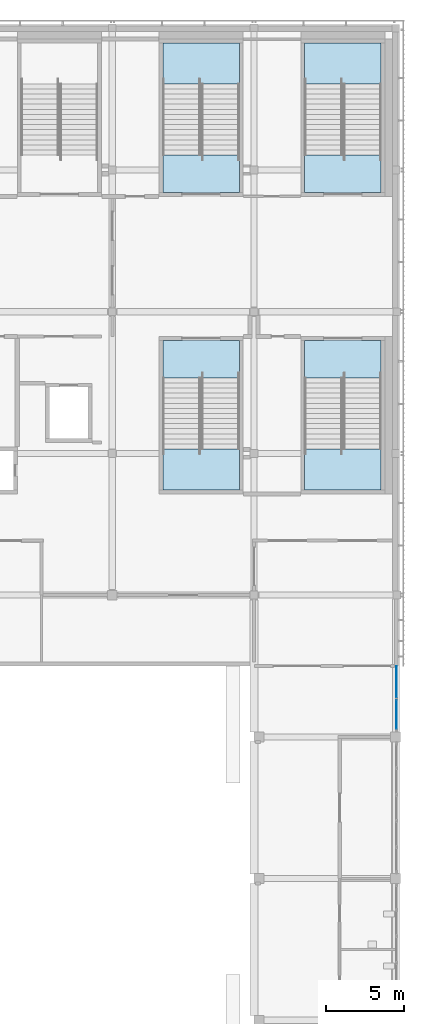
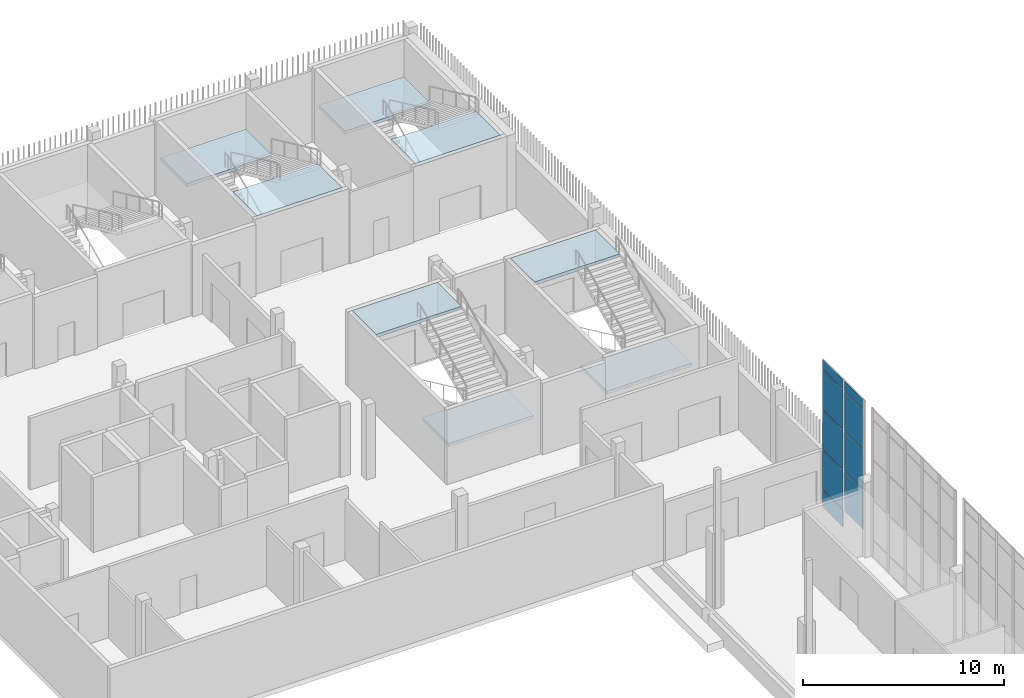
# One storey, part 39 of 91: 9 plates, 8 slabs, 5 elements without a shape of their own.
"""IFC4 building model written with IfcOpenShell, lengths in metres."""

from ifc_helpers import new_model, si_unit, direction, frame, origin, origin_2d, place, context, subcontext, project, spatial, polyline, rectangle, outline, extrude, material, layer, layer_set, type_object, element, aggregate, save


model = new_model("IFC4")

# Units and contexts
model_context = context("Model", 3, precision=1e-05, world=origin(), true_north=direction((0.0, 1.0)))
body_context = subcontext(model_context, "Body", "Model", "MODEL_VIEW")
ifc_project = project(units=[si_unit("LENGTHUNIT", "METRE"), si_unit("AREAUNIT", "SQUARE_METRE"), si_unit("VOLUMEUNIT", "CUBIC_METRE"), si_unit("PLANEANGLEUNIT", "RADIAN"), si_unit("MASSUNIT", "GRAM", prefix="KILO")], contexts=[model_context])

# Site, building, storey
site_placement = place(None, origin())
site = spatial("IfcSite", under=ifc_project, at=site_placement, CompositionType="ELEMENT")
building_placement = place(site_placement, origin())
building = spatial("IfcBuilding", under=site, at=building_placement, Name="Shirokan Park Arena", CompositionType="ELEMENT")
storey_placement = place(building_placement, frame((0.0, 0.0, 24.570068359375)))
storey = spatial("IfcBuildingStorey", under=building, at=storey_placement, Name="L05", CompositionType="ELEMENT", Elevation=24.570068359375)

# Curtain wall, plates
ifc_material_1 = material(Name="Steel and glass curtain wall", Category="steel")
ifc_layer_1 = layer(ifc_material_1, 0.199951171875)
ifc_layer_set_1 = layer_set([ifc_layer_1], Name="Steel and glass curtain wall 200 mm")
curtain_wall_type = type_object("IfcCurtainWallType", Name="Curtain wall hall bay 200", PredefinedType="NOTDEFINED", material=ifc_layer_set_1)
curtain_wall_placement = place(storey_placement, origin())
curtain_wall = element("IfcCurtainWall", 1, at=curtain_wall_placement, inside=storey, type_object=curtain_wall_type, Name="Curtain wall east bay 8 L05", PredefinedType="NOTDEFINED")
ifc_material_2 = material(Name="Toughened glass", Category="glass")
ifc_layer_2 = layer(ifc_material_2, 0.012939453125, Name="Toughened glass")
ifc_material_3 = material(Name="Interlayer film")
ifc_layer_3 = layer(ifc_material_3, 0.001953125, Name="Interlayer film")
ifc_layer_4 = layer(ifc_material_2, 0.012939453125, Name="Toughened glass")
ifc_layer_set_2 = layer_set([ifc_layer_2, ifc_layer_3, ifc_layer_4], Name="Toughened glass + Interlayer film")
plate_type_1 = type_object("IfcPlateType", Name="Laminated glass panel 28", PredefinedType="CURTAIN_PANEL", material=ifc_layer_set_2)
plate_1_placement = place(storey_placement, frame((145.64990234375, 65.13134765625, 1.1201171875), z_axis=(0.0, 0.0, 1.0), x_axis=(0.0, 1.0, 0.0)))
plate_1 = element("IfcPlate", 2, at=plate_1_placement, type_object=plate_type_1, Name="CW5 panel 1.2", PredefinedType="CURTAIN_PANEL", context=body_context, shape_type="SweptSolid", body=[
    extrude(rectangle(XDim=1.8125, YDim=0.028076171875, at=origin_2d()), origin(), (0.0, 0.0, 1.0), 2.393310546875),
])
plate_2_placement = place(storey_placement, frame((145.64990234375, 65.13134765625, 3.55322265625), z_axis=(0.0, 0.0, 1.0), x_axis=(0.0, 1.0, 0.0)))
plate_2 = element("IfcPlate", 3, at=plate_2_placement, type_object=plate_type_1, Name="CW5 panel 1.3", PredefinedType="CURTAIN_PANEL", context=body_context, shape_type="SweptSolid", body=[
    extrude(rectangle(XDim=1.8125, YDim=0.028076171875, at=origin_2d()), origin(), (0.0, 0.0, 1.0), 2.393310546875),
])
plate_3_placement = place(storey_placement, frame((145.64990234375, 65.13134765625, 5.98681640625), z_axis=(0.0, 0.0, 1.0), x_axis=(0.0, 1.0, 0.0)))
plate_3 = element("IfcPlate", 4, at=plate_3_placement, type_object=plate_type_1, Name="CW5 panel 1.4", PredefinedType="CURTAIN_PANEL", context=body_context, shape_type="SweptSolid", body=[
    extrude(rectangle(XDim=1.8125, YDim=0.028076171875, at=origin_2d()), origin(), (0.0, 0.0, 1.0), 2.393310546875),
])
plate_4_placement = place(storey_placement, frame((145.64990234375, 65.13134765625, 8.419921875), z_axis=(0.0, 0.0, 1.0), x_axis=(0.0, 1.0, 0.0)))
plate_4 = element("IfcPlate", 5, at=plate_4_placement, type_object=plate_type_1, Name="CW5 panel 1.5", PredefinedType="CURTAIN_PANEL", context=body_context, shape_type="SweptSolid", body=[
    extrude(rectangle(XDim=1.8125, YDim=0.028076171875, at=origin_2d()), origin(), (0.0, 0.0, 1.0), 0.590087890625),
])
plate_5_placement = place(storey_placement, frame((145.64990234375, 67.24365234375, 1.1201171875), z_axis=(0.0, 0.0, 1.0), x_axis=(0.0, 1.0, 0.0)))
plate_5 = element("IfcPlate", 6, at=plate_5_placement, type_object=plate_type_1, Name="CW5 panel 2.2", PredefinedType="CURTAIN_PANEL", context=body_context, shape_type="SweptSolid", body=[
    extrude(rectangle(XDim=2.012451171875, YDim=0.028076171875, at=origin_2d()), origin(), (0.0, 0.0, 1.0), 2.393310546875),
])
plate_6_placement = place(storey_placement, frame((145.64990234375, 67.24365234375, 3.55322265625), z_axis=(0.0, 0.0, 1.0), x_axis=(0.0, 1.0, 0.0)))
plate_6 = element("IfcPlate", 7, at=plate_6_placement, type_object=plate_type_1, Name="CW5 panel 2.3", PredefinedType="CURTAIN_PANEL", context=body_context, shape_type="SweptSolid", body=[
    extrude(rectangle(XDim=2.012451171875, YDim=0.028076171875, at=origin_2d()), origin(), (0.0, 0.0, 1.0), 2.393310546875),
])
plate_7_placement = place(storey_placement, frame((145.64990234375, 67.24365234375, 5.98681640625), z_axis=(0.0, 0.0, 1.0), x_axis=(0.0, 1.0, 0.0)))
plate_7 = element("IfcPlate", 8, at=plate_7_placement, type_object=plate_type_1, Name="CW5 panel 2.4", PredefinedType="CURTAIN_PANEL", context=body_context, shape_type="SweptSolid", body=[
    extrude(rectangle(XDim=2.012451171875, YDim=0.028076171875, at=origin_2d()), origin(), (0.0, 0.0, 1.0), 2.393310546875),
])
plate_8_placement = place(storey_placement, frame((145.64990234375, 67.24365234375, 8.419921875), z_axis=(0.0, 0.0, 1.0), x_axis=(0.0, 1.0, 0.0)))
plate_8 = element("IfcPlate", 9, at=plate_8_placement, type_object=plate_type_1, Name="CW5 panel 2.5", PredefinedType="CURTAIN_PANEL", context=body_context, shape_type="SweptSolid", body=[
    extrude(rectangle(XDim=2.012451171875, YDim=0.028076171875, at=origin_2d()), origin(), (0.0, 0.0, 1.0), 0.590087890625),
])
ifc_layer_5 = layer(ifc_material_2, 0.01708984375, Name="Toughened glass")
ifc_layer_6 = layer(ifc_material_3, 0.001953125, Name="Interlayer film")
ifc_layer_7 = layer(ifc_material_2, 0.01708984375, Name="Toughened glass")
ifc_layer_set_3 = layer_set([ifc_layer_5, ifc_layer_6, ifc_layer_7], Name="Toughened glass + Interlayer film")
plate_type_2 = type_object("IfcPlateType", Name="Laminated safety glass panel 36", PredefinedType="CURTAIN_PANEL", material=ifc_layer_set_3)
plate_9_placement = place(storey_placement, frame((145.64990234375, 67.24365234375, 0.039794921875), z_axis=(0.0, 0.0, 1.0), x_axis=(0.0, 1.0, 0.0)))
plate_9 = element("IfcPlate", 10, at=plate_9_placement, type_object=plate_type_2, Name="CW5 panel 2.1", PredefinedType="CURTAIN_PANEL", context=body_context, shape_type="SweptSolid", body=[
    extrude(rectangle(XDim=2.012451171875, YDim=0.035888671875, at=origin_2d()), origin(), (0.0, 0.0, 1.0), 1.0400390625),
])
aggregate(curtain_wall, [plate_1, plate_2, plate_3, plate_4, plate_9, plate_5, plate_6, plate_7, plate_8])

# Stair, slabs
ifc_material_4 = material(Name="Concrete C30 precast", Category="concrete")
stair_type = type_object("IfcStairType", Name="Stair 30 risers 152 x 327 2400 wide", PredefinedType="TWO_STRAIGHT_RUN_STAIR", material=ifc_material_4)
stair_1_placement = place(storey_placement, origin())
stair_1 = element("IfcStair", 11, at=stair_1_placement, inside=storey, type_object=stair_type, Name="Exit Stair 3.A L05 to L06", PredefinedType="TWO_STRAIGHT_RUN_STAIR")
ifc_layer_8 = layer(ifc_material_4, 0.199951171875)
ifc_layer_set_4 = layer_set([ifc_layer_8], Name="Concrete C30 precast 200 mm")
slab_type = type_object("IfcSlabType", Name="Stair landing 200", PredefinedType="LANDING", material=ifc_layer_set_4)
slab_1_placement = place(storey_placement, frame((0.0, 0.0, 2.074951171875)))
slab_1 = element("IfcSlab", 12, at=slab_1_placement, type_object=slab_type, Name="ST16.6 landing 1", PredefinedType="LANDING", context=body_context, shape_type="SweptSolid", body=[
    extrude(outline(polyline([(139.75, 105.623779296875), (144.64990234375, 105.623779296875), (144.64990234375, 108.25), (139.75, 108.25), (139.75, 105.623779296875)])), origin(), (0.0, 0.0, 1.0), 0.199951171875),
])
slab_2_placement = place(storey_placement, frame((0.0, 0.0, 4.349853515625)))
slab_2 = element("IfcSlab", 13, at=slab_2_placement, type_object=slab_type, Name="ST16.6 landing 2", PredefinedType="LANDING", context=body_context, shape_type="SweptSolid", body=[
    extrude(outline(polyline([(139.75, 98.64990234375), (144.64990234375, 98.64990234375), (144.64990234375, 101.050048828125), (139.75, 101.050048828125), (139.75, 98.64990234375)])), origin(), (0.0, 0.0, 1.0), 0.2001953125),
])
aggregate(stair_1, [slab_1, slab_2])

stair_2_placement = place(storey_placement, origin())
stair_2 = element("IfcStair", 14, at=stair_2_placement, inside=storey, type_object=stair_type, Name="Exit Stair 3.B L05 to L06", PredefinedType="TWO_STRAIGHT_RUN_STAIR")
slab_3_placement = place(storey_placement, frame((0.0, 0.0, 2.074951171875)))
slab_3 = element("IfcSlab", 15, at=slab_3_placement, type_object=slab_type, Name="ST17.6 landing 1", PredefinedType="LANDING", context=body_context, shape_type="SweptSolid", body=[
    extrude(outline(polyline([(130.64990234375, 105.623779296875), (135.550048828125, 105.623779296875), (135.550048828125, 108.25), (130.64990234375, 108.25), (130.64990234375, 105.623779296875)])), origin(), (0.0, 0.0, 1.0), 0.199951171875),
])
slab_4_placement = place(storey_placement, frame((0.0, 0.0, 4.349853515625)))
slab_4 = element("IfcSlab", 16, at=slab_4_placement, type_object=slab_type, Name="ST17.6 landing 2", PredefinedType="LANDING", context=body_context, shape_type="SweptSolid", body=[
    extrude(outline(polyline([(130.64990234375, 98.64990234375), (135.550048828125, 98.64990234375), (135.550048828125, 101.050048828125), (130.64990234375, 101.050048828125), (130.64990234375, 98.64990234375)])), origin(), (0.0, 0.0, 1.0), 0.2001953125),
])
aggregate(stair_2, [slab_3, slab_4])

stair_3_placement = place(storey_placement, origin())
stair_3 = element("IfcStair", 17, at=stair_3_placement, inside=storey, type_object=stair_type, Name="Exit Stair 3.E L05 to L06", PredefinedType="TWO_STRAIGHT_RUN_STAIR")
slab_5_placement = place(storey_placement, frame((0.0, 0.0, 2.074951171875)))
slab_5 = element("IfcSlab", 18, at=slab_5_placement, type_object=slab_type, Name="ST20.6 landing 1", PredefinedType="LANDING", context=body_context, shape_type="SweptSolid", body=[
    extrude(outline(polyline([(139.75, 79.550048828125), (144.64990234375, 79.550048828125), (144.64990234375, 82.17626953125), (139.75, 82.17626953125), (139.75, 79.550048828125)])), origin(), (0.0, 0.0, 1.0), 0.199951171875),
])
slab_6_placement = place(storey_placement, frame((0.0, 0.0, 4.349853515625)))
slab_6 = element("IfcSlab", 19, at=slab_6_placement, type_object=slab_type, Name="ST20.6 landing 2", PredefinedType="LANDING", context=body_context, shape_type="SweptSolid", body=[
    extrude(outline(polyline([(139.75, 86.75), (144.64990234375, 86.75), (144.64990234375, 89.14990234375), (139.75, 89.14990234375), (139.75, 86.75)])), origin(), (0.0, 0.0, 1.0), 0.2001953125),
])
aggregate(stair_3, [slab_5, slab_6])

stair_4_placement = place(storey_placement, origin())
stair_4 = element("IfcStair", 20, at=stair_4_placement, inside=storey, type_object=stair_type, Name="Exit Stair 3.F L05 to L06", PredefinedType="TWO_STRAIGHT_RUN_STAIR")
slab_7_placement = place(storey_placement, frame((0.0, 0.0, 2.074951171875)))
slab_7 = element("IfcSlab", 21, at=slab_7_placement, type_object=slab_type, Name="ST21.6 landing 1", PredefinedType="LANDING", context=body_context, shape_type="SweptSolid", body=[
    extrude(outline(polyline([(130.64990234375, 79.550048828125), (135.550048828125, 79.550048828125), (135.550048828125, 82.17626953125), (130.64990234375, 82.17626953125), (130.64990234375, 79.550048828125)])), origin(), (0.0, 0.0, 1.0), 0.199951171875),
])
slab_8_placement = place(storey_placement, frame((0.0, 0.0, 4.349853515625)))
slab_8 = element("IfcSlab", 22, at=slab_8_placement, type_object=slab_type, Name="ST21.6 landing 2", PredefinedType="LANDING", context=body_context, shape_type="SweptSolid", body=[
    extrude(outline(polyline([(130.64990234375, 86.75), (135.550048828125, 86.75), (135.550048828125, 89.14990234375), (130.64990234375, 89.14990234375), (130.64990234375, 86.75)])), origin(), (0.0, 0.0, 1.0), 0.2001953125),
])
aggregate(stair_4, [slab_7, slab_8])

save(model, "model.ifc")
